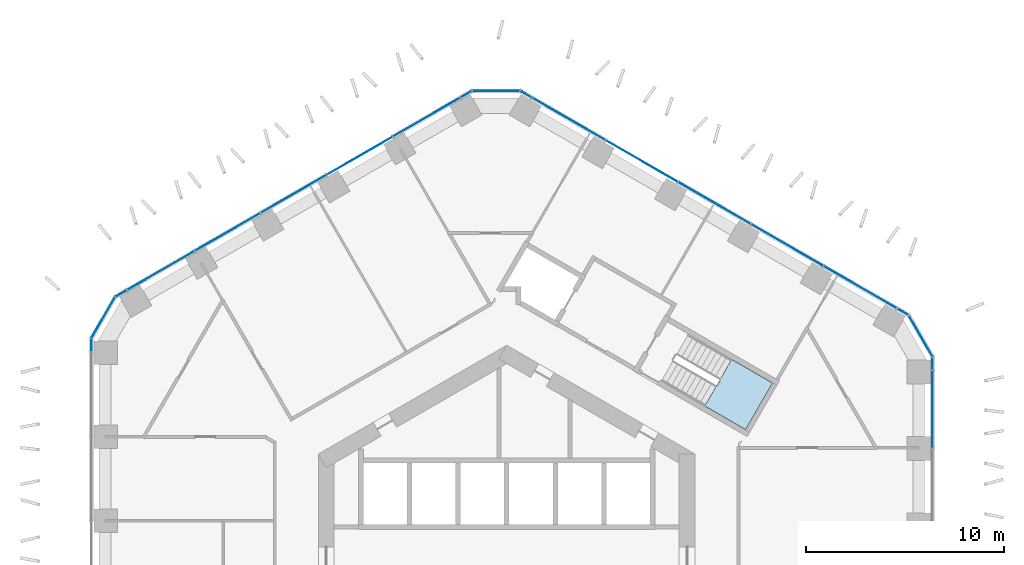
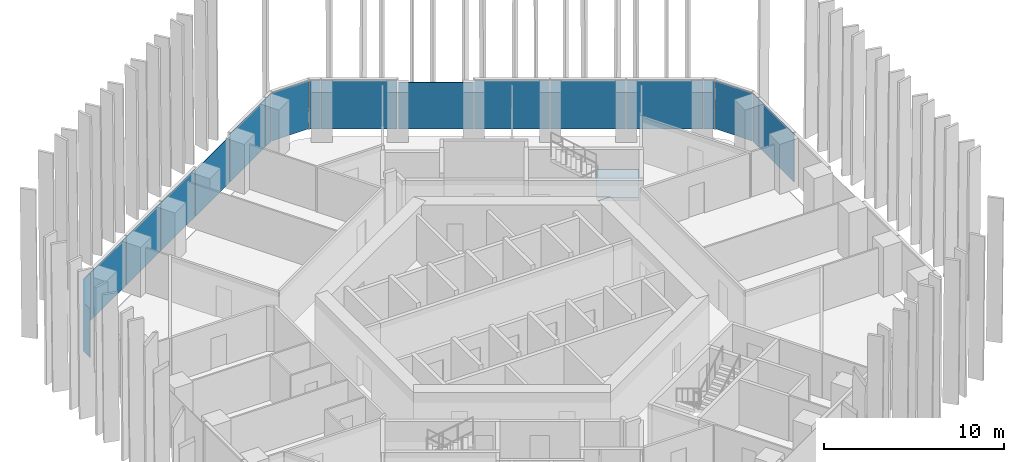
# One storey, part 11 of 19: 20 plates, 1 slab, 7 elements without a shape of their own.
"""IFC4 building model written with IfcOpenShell, lengths in metres."""

from ifc_helpers import new_model, si_unit, direction, frame, origin, origin_2d, place, context, subcontext, project, spatial, polyline, rectangle, outline, extrude, material, layer, layer_set, type_object, element, aggregate, save


model = new_model("IFC4")

# Units and contexts
model_context = context("Model", 3, precision=1e-05, world=origin(), true_north=direction((0.0, 1.0)))
body_context = subcontext(model_context, "Body", "Model", "MODEL_VIEW")
ifc_project = project(units=[si_unit("LENGTHUNIT", "METRE"), si_unit("AREAUNIT", "SQUARE_METRE"), si_unit("VOLUMEUNIT", "CUBIC_METRE"), si_unit("PLANEANGLEUNIT", "RADIAN"), si_unit("MASSUNIT", "GRAM", prefix="KILO")], contexts=[model_context])

# Site, building, storey
site_placement = place(None, origin())
site = spatial("IfcSite", under=ifc_project, at=site_placement, CompositionType="ELEMENT")
building_placement = place(site_placement, origin())
building = spatial("IfcBuilding", under=site, at=building_placement, Name="Ayvan Gate Tower", CompositionType="ELEMENT")
storey_placement = place(building_placement, frame((0.0, 0.0, 56.10009765625)))
storey = spatial("IfcBuildingStorey", under=building, at=storey_placement, Name="L14", CompositionType="ELEMENT", Elevation=56.10009765625)

# Stair, slab
ifc_material_1 = material(Name="Concrete C40/50", Category="concrete")
stair_type = type_object("IfcStairType", Name="ST-EXIT", PredefinedType="HALF_TURN_STAIR", material=ifc_material_1)
stair_placement = place(storey_placement, origin())
stair = element("IfcStair", 1, at=stair_placement, inside=storey, type_object=stair_type, Name="L14 Exit Stair S1", PredefinedType="HALF_TURN_STAIR")
ifc_layer_1 = layer(ifc_material_1, 0.199951171875)
ifc_layer_set_1 = layer_set([ifc_layer_1], Name="Concrete C40/50")
slab_type = type_object("IfcSlabType", Name="SL-LANDING-200", PredefinedType="LANDING", material=ifc_layer_set_1)
slab_placement = place(storey_placement, frame((0.0, 0.0, 1.5)))
slab = element("IfcSlab", 2, at=slab_placement, type_object=slab_type, Name="STS1 landing 1", PredefinedType="LANDING", context=body_context, shape_type="SweptSolid", body=[
    extrude(outline(polyline([(9.988525390625, 7.91064453125), (12.049560546875, 6.720458984375), (13.404541015625, 9.0673828125), (11.343505859375, 10.257568359375), (9.988525390625, 7.91064453125)])), origin(), (0.0, 0.0, 1.0), 0.199951171875),
])
aggregate(stair, [slab])

# Curtain wall, plates
ifc_material_2 = material(Name="Bronze anodised aluminium", Category="aluminium")
ifc_layer_2 = layer(ifc_material_2, 0.199951171875)
ifc_layer_set_2 = layer_set([ifc_layer_2], Name="Bronze anodised aluminium")
curtain_wall_type_1 = type_object("IfcCurtainWallType", Name="Stick curtain wall CW-1", PredefinedType="NOTDEFINED", material=ifc_layer_set_2)
curtain_wall_1_placement = place(storey_placement, origin())
curtain_wall_1 = element("IfcCurtainWall", 3, at=curtain_wall_1_placement, inside=storey, type_object=curtain_wall_type_1, Name="Stick curtain wall CW-1 L14", PredefinedType="NOTDEFINED")
ifc_material_3 = material(Name="Clear low-iron laminated glass", Category="glass")
ifc_layer_3 = layer(ifc_material_3, 0.028076171875)
ifc_layer_set_3 = layer_set([ifc_layer_3], Name="Clear low-iron laminated glass")
plate_type_1 = type_object("IfcPlateType", Name="Stick curtain wall CW-1 glass panel", PredefinedType="CURTAIN_PANEL", material=ifc_layer_set_3)
plate_1_placement = place(storey_placement, frame((-4.024658203125, 22.484619140625, 0.0), z_axis=(0.0, 0.0, 1.0), x_axis=(-0.866025403784, -0.5, 0.0)))
plate_1 = element("IfcPlate", 4, at=plate_1_placement, type_object=plate_type_1, Name="CW-1 glass panel 1", PredefinedType="CURTAIN_PANEL", context=body_context, shape_type="SweptSolid", body=[
    extrude(rectangle(XDim=3.9130859375, YDim=0.028076171875, at=origin_2d()), origin(), (0.0, 0.0, 1.0), 3.280029296875),
])
plate_2_placement = place(storey_placement, frame((-7.410888671875, 20.529541015625, 0.0), z_axis=(0.0, 0.0, 1.0), x_axis=(-0.866025403784, -0.5, 0.0)))
plate_2 = element("IfcPlate", 5, at=plate_2_placement, type_object=plate_type_1, Name="CW-1 glass panel 2", PredefinedType="CURTAIN_PANEL", context=body_context, shape_type="SweptSolid", body=[
    extrude(rectangle(XDim=3.787109375, YDim=0.028076171875, at=origin_2d()), origin(), (0.0, 0.0, 1.0), 3.14990234375),
])
plate_3_placement = place(storey_placement, frame((-10.742431640625, 18.606201171875, 0.0), z_axis=(0.0, 0.0, 1.0), x_axis=(-0.866025403784, -0.5, 0.0)))
plate_3 = element("IfcPlate", 6, at=plate_3_placement, type_object=plate_type_1, Name="CW-1 glass panel 3", PredefinedType="CURTAIN_PANEL", context=body_context, shape_type="SweptSolid", body=[
    extrude(rectangle(XDim=3.787109375, YDim=0.028076171875, at=origin_2d()), origin(), (0.0, 0.0, 1.0), 3.280029296875),
])
plate_4_placement = place(storey_placement, frame((-14.073974609375, 16.6826171875, 0.0), z_axis=(0.0, 0.0, 1.0), x_axis=(-0.866025403784, -0.5, 0.0)))
plate_4 = element("IfcPlate", 7, at=plate_4_placement, type_object=plate_type_1, Name="CW-1 glass panel 4", PredefinedType="CURTAIN_PANEL", context=body_context, shape_type="SweptSolid", body=[
    extrude(rectangle(XDim=3.787109375, YDim=0.028076171875, at=origin_2d()), origin(), (0.0, 0.0, 1.0), 3.280029296875),
])
plate_5_placement = place(storey_placement, frame((-17.4599609375, 14.727783203125, 0.0), z_axis=(0.0, 0.0, 1.0), x_axis=(-0.866025403784, -0.5, 0.0)))
plate_5 = element("IfcPlate", 8, at=plate_5_placement, type_object=plate_type_1, Name="CW-1 glass panel 5", PredefinedType="CURTAIN_PANEL", context=body_context, shape_type="SweptSolid", body=[
    extrude(rectangle(XDim=3.91259765625, YDim=0.028076171875, at=origin_2d()), origin(), (0.0, 0.0, 1.0), 3.280029296875),
])
aggregate(curtain_wall_1, [plate_1, plate_2, plate_3, plate_4, plate_5])

# Curtain wall, plate
curtain_wall_2_placement = place(storey_placement, origin())
curtain_wall_2 = element("IfcCurtainWall", 9, at=curtain_wall_2_placement, inside=storey, type_object=curtain_wall_type_1, Name="Stick curtain wall CW-1 L14", PredefinedType="NOTDEFINED")
plate_6_placement = place(storey_placement, frame((21.484619140625, 7.757080078125, 0.0), z_axis=(0.0, 0.0, 1.0), x_axis=(0.0, 1.0, 0.0)))
plate_6 = element("IfcPlate", 10, at=plate_6_placement, type_object=plate_type_1, Name="CW-1 glass panel 5", PredefinedType="CURTAIN_PANEL", context=body_context, shape_type="SweptSolid", body=[
    extrude(rectangle(XDim=3.91259765625, YDim=0.028076171875, at=origin_2d()), origin(), (0.0, 0.0, 1.0), 3.280029296875),
])
aggregate(curtain_wall_2, [plate_6])

# Curtain wall, plates
curtain_wall_3_placement = place(storey_placement, origin())
curtain_wall_3 = element("IfcCurtainWall", 11, at=curtain_wall_3_placement, inside=storey, type_object=curtain_wall_type_1, Name="Stick curtain wall CW-1 L14", PredefinedType="NOTDEFINED")
plate_7_placement = place(storey_placement, frame((17.84716796875, 13.887451171875, 0.0), z_axis=(0.0, 0.0, 1.0), x_axis=(-0.866025403784, 0.5, 0.0)))
plate_7 = element("IfcPlate", 12, at=plate_7_placement, type_object=plate_type_1, Name="CW-1 glass panel 1", PredefinedType="CURTAIN_PANEL", context=body_context, shape_type="SweptSolid", body=[
    extrude(rectangle(XDim=4.251953125, YDim=0.028076171875, at=origin_2d()), origin(), (0.0, 0.0, 1.0), 3.280029296875),
])
plate_8_placement = place(storey_placement, frame((14.14501953125, 16.02490234375, 0.0), z_axis=(0.0, 0.0, 1.0), x_axis=(-0.866025403784, 0.5, 0.0)))
plate_8 = element("IfcPlate", 13, at=plate_8_placement, type_object=plate_type_1, Name="CW-1 glass panel 2", PredefinedType="CURTAIN_PANEL", context=body_context, shape_type="SweptSolid", body=[
    extrude(rectangle(XDim=4.177978515625, YDim=0.028076171875, at=origin_2d()), origin(), (0.0, 0.0, 1.0), 3.280029296875),
])
plate_9_placement = place(storey_placement, frame((10.475341796875, 18.1435546875, 0.0), z_axis=(0.0, 0.0, 1.0), x_axis=(-0.866025403784, 0.5, 0.0)))
plate_9 = element("IfcPlate", 14, at=plate_9_placement, type_object=plate_type_1, Name="CW-1 glass panel 3", PredefinedType="CURTAIN_PANEL", context=body_context, shape_type="SweptSolid", body=[
    extrude(rectangle(XDim=4.177001953125, YDim=0.028076171875, at=origin_2d()), origin(), (0.0, 0.0, 1.0), 3.280029296875),
])
plate_10_placement = place(storey_placement, frame((6.805419921875, 20.262451171875, 0.0), z_axis=(0.0, 0.0, 1.0), x_axis=(-0.866025403784, 0.5, 0.0)))
plate_10 = element("IfcPlate", 15, at=plate_10_placement, type_object=plate_type_1, Name="CW-1 glass panel 4", PredefinedType="CURTAIN_PANEL", context=body_context, shape_type="SweptSolid", body=[
    extrude(rectangle(XDim=4.177978515625, YDim=0.028076171875, at=origin_2d()), origin(), (0.0, 0.0, 1.0), 3.14990234375),
])
plate_11_placement = place(storey_placement, frame((3.103271484375, 22.39990234375, 0.0), z_axis=(0.0, 0.0, 1.0), x_axis=(-0.866025403784, 0.5, 0.0)))
plate_11 = element("IfcPlate", 16, at=plate_11_placement, type_object=plate_type_1, Name="CW-1 glass panel 5", PredefinedType="CURTAIN_PANEL", context=body_context, shape_type="SweptSolid", body=[
    extrude(rectangle(XDim=4.251953125, YDim=0.028076171875, at=origin_2d()), origin(), (0.0, 0.0, 1.0), 3.280029296875),
])
aggregate(curtain_wall_3, [plate_7, plate_8, plate_9, plate_10, plate_11])

ifc_layer_4 = layer(ifc_material_2, 0.199951171875)
ifc_layer_set_4 = layer_set([ifc_layer_4], Name="Bronze anodised aluminium")
curtain_wall_type_2 = type_object("IfcCurtainWallType", Name="Stick curtain wall CW-6", PredefinedType="NOTDEFINED", material=ifc_layer_set_4)
curtain_wall_4_placement = place(storey_placement, origin())
curtain_wall_4 = element("IfcCurtainWall", 17, at=curtain_wall_4_placement, inside=storey, type_object=curtain_wall_type_2, Name="Stick curtain wall CW-6 L14", PredefinedType="NOTDEFINED")
ifc_layer_5 = layer(ifc_material_3, 0.028076171875)
ifc_layer_set_5 = layer_set([ifc_layer_5], Name="Clear low-iron laminated glass")
plate_type_2 = type_object("IfcPlateType", Name="Stick curtain wall CW-6 glass panel", PredefinedType="CURTAIN_PANEL", material=ifc_layer_set_5)
plate_12_placement = place(storey_placement, frame((-19.450927734375, 13.578369140625, 0.0), z_axis=(0.0, 0.0, 1.0), x_axis=(-0.866025403784, -0.5, 0.0)))
plate_12 = element("IfcPlate", 18, at=plate_12_placement, type_object=plate_type_2, Name="CW-6 glass panel 1", PredefinedType="CURTAIN_PANEL", context=body_context, shape_type="SweptSolid", body=[
    extrude(rectangle(XDim=0.625, YDim=0.028076171875, at=origin_2d()), origin(), (0.0, 0.0, 1.0), 3.280029296875),
])
plate_13_placement = place(storey_placement, frame((-20.346923828125, 12.364013671875, 0.0), z_axis=(0.0, 0.0, 1.0), x_axis=(-0.5, -0.866025403784, 0.0)))
plate_13 = element("IfcPlate", 19, at=plate_13_placement, type_object=plate_type_2, Name="CW-6 glass panel 2", PredefinedType="CURTAIN_PANEL", context=body_context, shape_type="SweptSolid", body=[
    extrude(rectangle(XDim=2.364501953125, YDim=0.028076171875, at=origin_2d()), origin(), (0.0, 0.0, 1.0), 3.280029296875),
])
plate_14_placement = place(storey_placement, frame((-20.950439453125, 10.98095703125, 0.0), z_axis=(0.0, 0.0, 1.0), x_axis=(0.0, -1.0, 0.0)))
plate_14 = element("IfcPlate", 20, at=plate_14_placement, type_object=plate_type_2, Name="CW-6 glass panel 3", PredefinedType="CURTAIN_PANEL", context=body_context, shape_type="SweptSolid", body=[
    extrude(rectangle(XDim=0.625, YDim=0.028076171875, at=origin_2d()), origin(), (0.0, 0.0, 1.0), 3.280029296875),
])
aggregate(curtain_wall_4, [plate_12, plate_13, plate_14])

curtain_wall_5_placement = place(storey_placement, origin())
curtain_wall_5 = element("IfcCurtainWall", 21, at=curtain_wall_5_placement, inside=storey, type_object=curtain_wall_type_2, Name="Stick curtain wall CW-6 L14", PredefinedType="NOTDEFINED")
plate_15_placement = place(storey_placement, frame((21.484619140625, 10.055908203125, 0.0), z_axis=(0.0, 0.0, 1.0), x_axis=(0.0, 1.0, 0.0)))
plate_15 = element("IfcPlate", 22, at=plate_15_placement, type_object=plate_type_2, Name="CW-6 glass panel 1", PredefinedType="CURTAIN_PANEL", context=body_context, shape_type="SweptSolid", body=[
    extrude(rectangle(XDim=0.625, YDim=0.028076171875, at=origin_2d()), origin(), (0.0, 0.0, 1.0), 3.280029296875),
])
plate_16_placement = place(storey_placement, frame((20.880859375, 11.43896484375, 0.0), z_axis=(0.0, 0.0, 1.0), x_axis=(-0.5, 0.866025403784, 0.0)))
plate_16 = element("IfcPlate", 23, at=plate_16_placement, type_object=plate_type_2, Name="CW-6 glass panel 2", PredefinedType="CURTAIN_PANEL", context=body_context, shape_type="SweptSolid", body=[
    extrude(rectangle(XDim=2.364501953125, YDim=0.028076171875, at=origin_2d()), origin(), (0.0, 0.0, 1.0), 3.280029296875),
])
plate_17_placement = place(storey_placement, frame((19.985107421875, 12.653076171875, 0.0), z_axis=(0.0, 0.0, 1.0), x_axis=(-0.866025403784, 0.5, 0.0)))
plate_17 = element("IfcPlate", 24, at=plate_17_placement, type_object=plate_type_2, Name="CW-6 glass panel 3", PredefinedType="CURTAIN_PANEL", context=body_context, shape_type="SweptSolid", body=[
    extrude(rectangle(XDim=0.625, YDim=0.028076171875, at=origin_2d()), origin(), (0.0, 0.0, 1.0), 3.280029296875),
])
aggregate(curtain_wall_5, [plate_15, plate_16, plate_17])

curtain_wall_6_placement = place(storey_placement, origin())
curtain_wall_6 = element("IfcCurtainWall", 25, at=curtain_wall_6_placement, inside=storey, type_object=curtain_wall_type_2, Name="Stick curtain wall CW-6 L14", PredefinedType="NOTDEFINED")
plate_18_placement = place(storey_placement, frame((0.96533203125, 23.634033203125, 0.0), z_axis=(0.0, 0.0, 1.0), x_axis=(-0.866025403784, 0.5, 0.0)))
plate_18 = element("IfcPlate", 26, at=plate_18_placement, type_object=plate_type_2, Name="CW-6 glass panel 1", PredefinedType="CURTAIN_PANEL", context=body_context, shape_type="SweptSolid", body=[
    extrude(rectangle(XDim=0.625, YDim=0.028076171875, at=origin_2d()), origin(), (0.0, 0.0, 1.0), 3.280029296875),
])
plate_19_placement = place(storey_placement, frame((-0.5341796875, 23.802978515625, 0.0), z_axis=(0.0, 0.0, 1.0), x_axis=(-1.0, 0.0, 0.0)))
plate_19 = element("IfcPlate", 27, at=plate_19_placement, type_object=plate_type_2, Name="CW-6 glass panel 2", PredefinedType="CURTAIN_PANEL", context=body_context, shape_type="SweptSolid", body=[
    extrude(rectangle(XDim=2.364501953125, YDim=0.028076171875, at=origin_2d()), origin(), (0.0, 0.0, 1.0), 3.280029296875),
])
plate_20_placement = place(storey_placement, frame((-2.03369140625, 23.634033203125, 0.0), z_axis=(0.0, 0.0, 1.0), x_axis=(-0.866025403784, -0.5, 0.0)))
plate_20 = element("IfcPlate", 28, at=plate_20_placement, type_object=plate_type_2, Name="CW-6 glass panel 3", PredefinedType="CURTAIN_PANEL", context=body_context, shape_type="SweptSolid", body=[
    extrude(rectangle(XDim=0.625, YDim=0.028076171875, at=origin_2d()), origin(), (0.0, 0.0, 1.0), 3.280029296875),
])
aggregate(curtain_wall_6, [plate_18, plate_19, plate_20])

save(model, "model.ifc")
